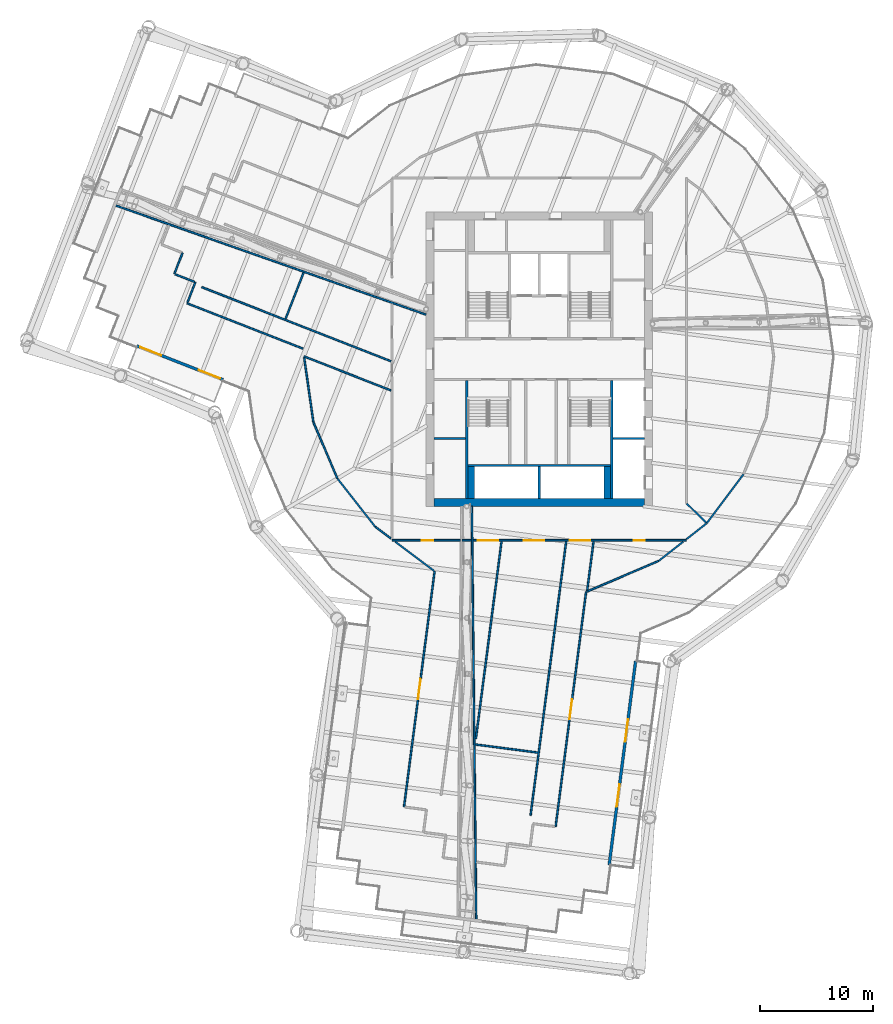
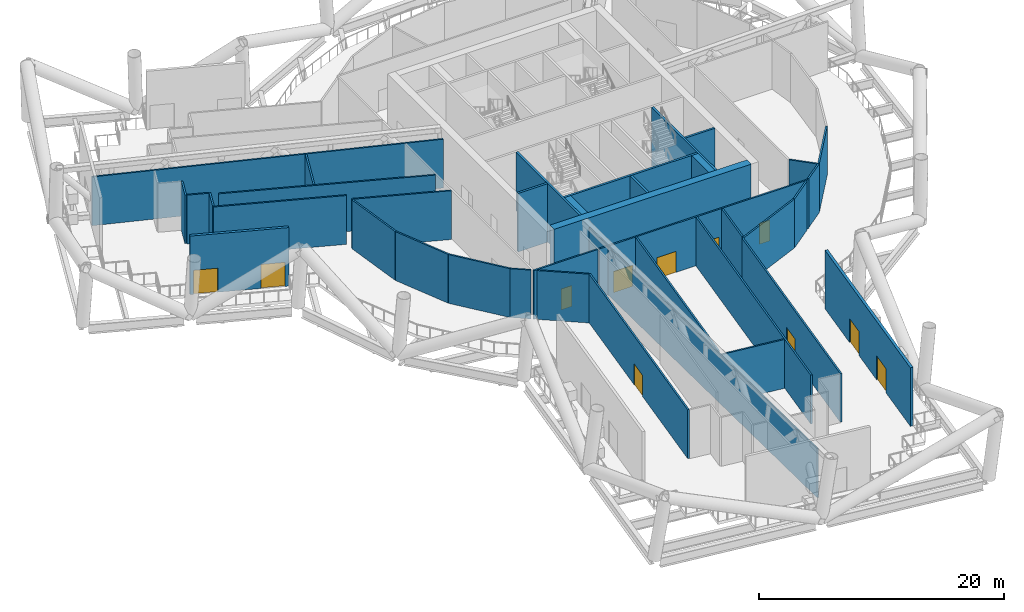
# One storey, part 11 of 36: 39 walls, 11 doors, 11 openings.
"""IFC4 building model written with IfcOpenShell, lengths in metres."""

from ifc_helpers import new_model, si_unit, direction, frame, frame_2d, origin, place, context, subcontext, project, spatial, rectangle, extrude, material, layer, layer_set, type_object, element, fill, save


model = new_model("IFC4")

# Units and contexts
model_context = context("Model", 3, precision=1e-05, world=origin(), true_north=direction((0.0, 1.0)))
body_context = subcontext(model_context, "Body", "Model", "MODEL_VIEW")
ifc_project = project(units=[si_unit("LENGTHUNIT", "METRE"), si_unit("AREAUNIT", "SQUARE_METRE"), si_unit("VOLUMEUNIT", "CUBIC_METRE"), si_unit("PLANEANGLEUNIT", "RADIAN"), si_unit("MASSUNIT", "GRAM", prefix="KILO")], contexts=[model_context])

# Site, building, storey
site_placement = place(None, origin())
site = spatial("IfcSite", under=ifc_project, at=site_placement, CompositionType="ELEMENT")
building_placement = place(site_placement, origin())
building = spatial("IfcBuilding", under=site, at=building_placement, Name="Tarsis Ring Headquarters", CompositionType="ELEMENT")
storey_placement = place(building_placement, frame((0.0, 0.0, 194.39990234375)))
storey = spatial("IfcBuildingStorey", under=building, at=storey_placement, Name="L45", CompositionType="ELEMENT", Elevation=194.39990234375)

# Walls
ifc_material_1 = material(Name="Blockwork", Category="masonry")
ifc_layer_1 = layer(ifc_material_1, 0.199951171875)
ifc_layer_set_1 = layer_set([ifc_layer_1], Name="Core blockwork wall 200")
wall_type_1 = type_object("IfcWallType", Name="Core blockwork wall 200", PredefinedType="PARTITIONING", material=ifc_layer_set_1)
wall_1_placement = place(storey_placement, frame((-9.300048828125, -7.0, 0.0), z_axis=(0.0, 0.0, 1.0), x_axis=(1.0, 0.0, 0.0)))
element("IfcWall", 1, at=wall_1_placement, inside=storey, type_object=wall_type_1, Name="Core partition WD2", PredefinedType="PARTITIONING", context=body_context, shape_type="SweptSolid", body=[
    extrude(rectangle(XDim=2.800048828125, YDim=0.199951171875, at=frame_2d((1.39990234375, 0.0))), origin(), (0.0, 0.0, 1.0), 5.840087890625),
])
ifc_material_2 = material(Name="Concrete C50/60", Category="concrete")
ifc_layer_2 = layer(ifc_material_2, 0.699951171875)
ifc_layer_set_2 = layer_set([ifc_layer_2], Name="Core wall 700 C50/60")
wall_type_2 = type_object("IfcWallType", Name="Core wall 700 C50/60", PredefinedType="SHEAR", material=ifc_layer_set_2)
wall_2_placement = place(storey_placement, frame((-9.300048828125, -12.64990234375, 0.0), z_axis=(0.0, 0.0, 1.0), x_axis=(1.0, 0.0, 0.0)))
element("IfcWall", 2, at=wall_2_placement, inside=storey, type_object=wall_type_2, Name="Core wall OS", PredefinedType="SHEAR", context=body_context, shape_type="SweptSolid", body=[
    extrude(rectangle(XDim=18.60009765625, YDim=0.699951171875, at=frame_2d((9.300048828125, 0.0))), origin(), (0.0, 0.0, 1.0), 5.840087890625),
])
ifc_material_3 = material(Name="Gypsum board on steel studs", Category="steel")
ifc_layer_3 = layer(ifc_material_3, 0.14990234375)
ifc_layer_set_3 = layer_set([ifc_layer_3], Name="FL partition 150 EI 120 H4870")
wall_type_3 = type_object("IfcWallType", Name="FL partition 150 EI 120 H4870", PredefinedType="PARTITIONING", material=ifc_layer_set_3)
wall_3_placement = place(storey_placement, frame((-5.952880859375, -13.0, 0.0), z_axis=(0.0, 0.0, 1.0), x_axis=(0.010572501311, -0.999944109546, 0.0)))
element("IfcWall", 3, at=wall_3_placement, inside=storey, type_object=wall_type_3, Name="Partition PW2H487", PredefinedType="PARTITIONING", context=body_context, shape_type="SweptSolid", body=[
    extrude(rectangle(XDim=36.64697265625, YDim=0.14990234375, at=frame_2d((18.323486328125, 0.0))), origin(), (0.0, 0.0, 1.0), 4.8701171875),
])
wall_4_placement = place(storey_placement, frame((-37.567626953125, 13.626708984375, 0.0), z_axis=(0.0, 0.0, 1.0), x_axis=(0.943350700791, -0.331797310595, 0.0)))
element("IfcWall", 4, at=wall_4_placement, inside=storey, type_object=wall_type_3, Name="Partition PW2H487", PredefinedType="PARTITIONING", context=body_context, shape_type="SweptSolid", body=[
    extrude(rectangle(XDim=29.22216796875, YDim=0.14990234375, at=frame_2d((14.611083984375, 0.0))), origin(), (0.0, 0.0, 1.0), 4.8701171875),
])

# Wall, opening, door
wall_5_placement = place(storey_placement, frame((-12.998046875, -16.0, 0.0), z_axis=(0.0, 0.0, 1.0), x_axis=(1.0, 0.0, 0.0)))
wall_5 = element("IfcWall", 5, at=wall_5_placement, inside=storey, type_object=wall_type_3, Name="Partition PW2H487", PredefinedType="PARTITIONING", context=body_context, shape_type="SweptSolid", body=[
    extrude(rectangle(XDim=6.04443359375, YDim=0.14990234375, at=frame_2d((3.022216796875, 0.0))), origin(), (0.0, 0.0, 1.0), 4.8701171875),
])
opening_1_placement = place(wall_5_placement, frame((2.619873046875, 0.0, 0.0)))
opening_1 = element("IfcOpeningElement", 6, at=opening_1_placement, cuts=wall_5, Name="Opening D45.09", PredefinedType="OPENING", context=body_context, shape_type="SweptSolid", body=[
    extrude(rectangle(XDim=1.0, YDim=2.10009765625, at=frame_2d((0.5, 1.050048828125))), frame((0.0, 0.0849609375, 0.0), z_axis=(0.0, -1.0, 0.0), x_axis=(1.0, 0.0, 0.0)), (0.0, 0.0, 1.0), 0.169921875),
])
ifc_material_4 = material(Name="Fire-rated timber door leaf in steel frame", Category="steel")
door_type_1 = type_object("IfcDoorType", Name="FL door FD120-1000", OperationType="NOTDEFINED", PredefinedType="DOOR", material=ifc_material_4)
door_1_placement = place(opening_1_placement, origin())
door_1 = element("IfcDoor", 7, at=door_1_placement, inside=storey, type_object=door_type_1, Name="Door D45.09", OperationType="SINGLE_SWING_RIGHT", OverallHeight=2.10009765625, OverallWidth=1.0, PredefinedType="DOOR", context=body_context, shape_type="SweptSolid", body=[
    extrude(rectangle(XDim=1.0, YDim=2.10009765625, at=frame_2d((0.5, 1.050048828125))), frame((0.0, 0.02490234375, 0.0), z_axis=(0.0, -1.0, 0.0), x_axis=(1.0, 0.0, 0.0)), (0.0, 0.0, 1.0), 0.050048828125),
])
fill(opening_1, door_1)

# Wall
wall_6_placement = place(storey_placement, frame((-6.80224609375, -16.0, 0.0), z_axis=(0.0, 0.0, 1.0), x_axis=(1.0, 0.0, 0.0)))
element("IfcWall", 8, at=wall_6_placement, inside=storey, type_object=wall_type_3, Name="Partition PW2H487", PredefinedType="PARTITIONING", context=body_context, shape_type="SweptSolid", body=[
    extrude(rectangle(XDim=0.80517578125, YDim=0.14990234375, at=frame_2d((0.402587890625, 0.0))), origin(), (0.0, 0.0, 1.0), 4.8701171875),
])

# Wall, openings, doors
wall_7_placement = place(storey_placement, frame((-5.845458984375, -16.0, 0.0), z_axis=(0.0, 0.0, 1.0), x_axis=(1.0, 0.0, 0.0)))
wall_7 = element("IfcWall", 9, at=wall_7_placement, inside=storey, type_object=wall_type_3, Name="Partition PW2H487", PredefinedType="PARTITIONING", context=body_context, shape_type="SweptSolid", body=[
    extrude(rectangle(XDim=18.843505859375, YDim=0.14990234375, at=frame_2d((9.421875, 0.0))), origin(), (0.0, 0.0, 1.0), 4.8701171875),
])
opening_2_placement = place(wall_7_placement, frame((14.181396484375, 0.0, 0.0)))
opening_2 = element("IfcOpeningElement", 10, at=opening_2_placement, cuts=wall_7, Name="Opening D45.08", PredefinedType="OPENING", context=body_context, shape_type="SweptSolid", body=[
    extrude(rectangle(XDim=1.0, YDim=2.10009765625, at=frame_2d((0.5, 1.050048828125))), frame((0.0, 0.0849609375, 0.0), z_axis=(0.0, -1.0, 0.0), x_axis=(1.0, 0.0, 0.0)), (0.0, 0.0, 1.0), 0.169921875),
])
opening_3_placement = place(wall_7_placement, frame((4.480712890625, 0.0, 0.0)))
opening_3 = element("IfcOpeningElement", 11, at=opening_3_placement, cuts=wall_7, Name="Opening D45.10", PredefinedType="OPENING", context=body_context, shape_type="SweptSolid", body=[
    extrude(rectangle(XDim=1.800048828125, YDim=2.10009765625, at=frame_2d((0.89990234375, 1.050048828125))), frame((0.0, 0.0849609375, 0.0), z_axis=(0.0, -1.0, 0.0), x_axis=(1.0, 0.0, 0.0)), (0.0, 0.0, 1.0), 0.169921875),
])
opening_4_placement = place(wall_7_placement, frame((8.544677734375, 0.0, 0.0)))
opening_4 = element("IfcOpeningElement", 12, at=opening_4_placement, cuts=wall_7, Name="Opening D45.11", PredefinedType="OPENING", context=body_context, shape_type="SweptSolid", body=[
    extrude(rectangle(XDim=1.800048828125, YDim=2.10009765625, at=frame_2d((0.89990234375, 1.050048828125))), frame((0.0, 0.0849609375, 0.0), z_axis=(0.0, -1.0, 0.0), x_axis=(1.0, 0.0, 0.0)), (0.0, 0.0, 1.0), 0.169921875),
])
opening_5_placement = place(wall_7_placement, frame((0.4169921875, 0.0, 0.0)))
opening_5 = element("IfcOpeningElement", 13, at=opening_5_placement, cuts=wall_7, Name="Opening D45.12", PredefinedType="OPENING", context=body_context, shape_type="SweptSolid", body=[
    extrude(rectangle(XDim=1.800048828125, YDim=2.10009765625, at=frame_2d((0.89990234375, 1.050048828125))), frame((0.0, 0.0849609375, 0.0), z_axis=(0.0, -1.0, 0.0), x_axis=(1.0, 0.0, 0.0)), (0.0, 0.0, 1.0), 0.169921875),
])
door_2_placement = place(opening_2_placement, origin())
door_2 = element("IfcDoor", 14, at=door_2_placement, inside=storey, type_object=door_type_1, Name="Door D45.08", OperationType="SINGLE_SWING_LEFT", OverallHeight=2.10009765625, OverallWidth=1.0, PredefinedType="DOOR", context=body_context, shape_type="SweptSolid", body=[
    extrude(rectangle(XDim=1.0, YDim=2.10009765625, at=frame_2d((0.5, 1.050048828125))), frame((0.0, 0.02490234375, 0.0), z_axis=(0.0, -1.0, 0.0), x_axis=(1.0, 0.0, 0.0)), (0.0, 0.0, 1.0), 0.050048828125),
])
fill(opening_2, door_2)
door_type_2 = type_object("IfcDoorType", Name="FL door FD120-1800", OperationType="DOUBLE_DOOR_SINGLE_SWING", PredefinedType="DOOR", material=ifc_material_4)
door_3_placement = place(opening_3_placement, origin())
door_3 = element("IfcDoor", 15, at=door_3_placement, inside=storey, type_object=door_type_2, Name="Door D45.10", OperationType="DOUBLE_DOOR_SINGLE_SWING", OverallHeight=2.10009765625, OverallWidth=1.800048828125, PredefinedType="DOOR", context=body_context, shape_type="SweptSolid", body=[
    extrude(rectangle(XDim=1.800048828125, YDim=2.10009765625, at=frame_2d((0.89990234375, 1.050048828125))), frame((0.0, 0.02490234375, 0.0), z_axis=(0.0, -1.0, 0.0), x_axis=(1.0, 0.0, 0.0)), (0.0, 0.0, 1.0), 0.050048828125),
])
fill(opening_3, door_3)
door_4_placement = place(opening_4_placement, origin())
door_4 = element("IfcDoor", 16, at=door_4_placement, inside=storey, type_object=door_type_2, Name="Door D45.11", OperationType="DOUBLE_DOOR_SINGLE_SWING", OverallHeight=2.10009765625, OverallWidth=1.800048828125, PredefinedType="DOOR", context=body_context, shape_type="SweptSolid", body=[
    extrude(rectangle(XDim=1.800048828125, YDim=2.10009765625, at=frame_2d((0.89990234375, 1.050048828125))), frame((0.0, 0.02490234375, 0.0), z_axis=(0.0, -1.0, 0.0), x_axis=(1.0, 0.0, 0.0)), (0.0, 0.0, 1.0), 0.050048828125),
])
fill(opening_4, door_4)
door_5_placement = place(opening_5_placement, origin())
door_5 = element("IfcDoor", 17, at=door_5_placement, inside=storey, type_object=door_type_2, Name="Door D45.12", OperationType="DOUBLE_DOOR_SINGLE_SWING", OverallHeight=2.10009765625, OverallWidth=1.800048828125, PredefinedType="DOOR", context=body_context, shape_type="SweptSolid", body=[
    extrude(rectangle(XDim=1.800048828125, YDim=2.10009765625, at=frame_2d((0.89990234375, 1.050048828125))), frame((0.0, 0.02490234375, 0.0), z_axis=(0.0, -1.0, 0.0), x_axis=(1.0, 0.0, 0.0)), (0.0, 0.0, 1.0), 0.050048828125),
])
fill(opening_5, door_5)

# Wall
wall_8_placement = place(storey_placement, frame((-0.76708984375, -40.302490234375, 0.0), z_axis=(0.0, 0.0, 1.0), x_axis=(0.128793942299, 0.991671377235, 0.0)))
element("IfcWall", 18, at=wall_8_placement, inside=storey, type_object=wall_type_3, Name="Partition PW2H487", PredefinedType="PARTITIONING", context=body_context, shape_type="SweptSolid", body=[
    extrude(rectangle(XDim=24.426513671875, YDim=0.14990234375, at=frame_2d((12.21337890625, 0.0))), origin(), (0.0, 0.0, 1.0), 4.8701171875),
])

# Wall, opening, door
wall_9_placement = place(storey_placement, frame((-11.942138671875, -39.541259765625, 0.0), z_axis=(0.0, 0.0, 1.0), x_axis=(0.128797496694, 0.991670915599, 0.0)))
wall_9 = element("IfcWall", 19, at=wall_9_placement, inside=storey, type_object=wall_type_3, Name="Partition PW2H487", PredefinedType="PARTITIONING", context=body_context, shape_type="SweptSolid", body=[
    extrude(rectangle(XDim=20.983642578125, YDim=0.14990234375, at=frame_2d((10.49169921875, 0.0))), origin(), (0.0, 0.0, 1.0), 4.8701171875),
])
opening_6_placement = place(wall_9_placement, frame((9.59130859375, 0.0, 0.0)))
opening_6 = element("IfcOpeningElement", 20, at=opening_6_placement, cuts=wall_9, Name="Opening D45.18", PredefinedType="OPENING", context=body_context, shape_type="SweptSolid", body=[
    extrude(rectangle(XDim=1.800048828125, YDim=2.10009765625, at=frame_2d((0.89990234375, 1.050048828125))), frame((0.0, 0.0849609375, 0.0), z_axis=(0.0, -1.0, 0.0), x_axis=(1.0, 0.0, 0.0)), (0.0, 0.0, 1.0), 0.169921875),
])
door_6_placement = place(opening_6_placement, origin())
door_6 = element("IfcDoor", 21, at=door_6_placement, inside=storey, type_object=door_type_2, Name="Door D45.18", OperationType="DOUBLE_DOOR_SINGLE_SWING", OverallHeight=2.10009765625, OverallWidth=1.800048828125, PredefinedType="DOOR", context=body_context, shape_type="SweptSolid", body=[
    extrude(rectangle(XDim=1.800048828125, YDim=2.10009765625, at=frame_2d((0.89990234375, 1.050048828125))), frame((0.0, 0.02490234375, 0.0), z_axis=(0.0, -1.0, 0.0), x_axis=(1.0, 0.0, 0.0)), (0.0, 0.0, 1.0), 0.050048828125),
])
fill(opening_6, door_6)

wall_10_placement = place(storey_placement, frame((1.4453125, -41.27978515625, 0.0), z_axis=(0.0, 0.0, 1.0), x_axis=(0.128800366041, 0.991670542926, 0.0)))
wall_10 = element("IfcWall", 22, at=wall_10_placement, inside=storey, type_object=wall_type_3, Name="Partition PW2H487", PredefinedType="PARTITIONING", context=body_context, shape_type="SweptSolid", body=[
    extrude(rectangle(XDim=20.901611328125, YDim=0.14990234375, at=frame_2d((10.45068359375, 0.0))), origin(), (0.0, 0.0, 1.0), 4.8701171875),
])
opening_7_placement = place(wall_10_placement, frame((9.55029296875, 0.0, 0.0)))
opening_7 = element("IfcOpeningElement", 23, at=opening_7_placement, cuts=wall_10, Name="Opening D45.15", PredefinedType="OPENING", context=body_context, shape_type="SweptSolid", body=[
    extrude(rectangle(XDim=1.800048828125, YDim=2.10009765625, at=frame_2d((0.89990234375, 1.050048828125))), frame((0.0, 0.0849609375, 0.0), z_axis=(0.0, -1.0, 0.0), x_axis=(1.0, 0.0, 0.0)), (0.0, 0.0, 1.0), 0.169921875),
])
door_7_placement = place(opening_7_placement, origin())
door_7 = element("IfcDoor", 24, at=door_7_placement, inside=storey, type_object=door_type_2, Name="Door D45.15", OperationType="DOUBLE_DOOR_SINGLE_SWING", OverallHeight=2.10009765625, OverallWidth=1.800048828125, PredefinedType="DOOR", context=body_context, shape_type="SweptSolid", body=[
    extrude(rectangle(XDim=1.800048828125, YDim=2.10009765625, at=frame_2d((0.89990234375, 1.050048828125))), frame((0.0, 0.02490234375, 0.0), z_axis=(0.0, -1.0, 0.0), x_axis=(1.0, 0.0, 0.0)), (0.0, 0.0, 1.0), 0.050048828125),
])
fill(opening_7, door_7)

# Walls
wall_11_placement = place(storey_placement, frame((-5.593505859375, -33.517578125, 0.0), z_axis=(0.0, 0.0, 1.0), x_axis=(0.128799042677, 0.991670714807, 0.0)))
element("IfcWall", 25, at=wall_11_placement, inside=storey, type_object=wall_type_3, Name="Partition PW2H487", PredefinedType="PARTITIONING", context=body_context, shape_type="SweptSolid", body=[
    extrude(rectangle(XDim=17.584716796875, YDim=0.14990234375, at=frame_2d((8.79248046875, 0.0))), origin(), (0.0, 0.0, 1.0), 4.8701171875),
])
wall_12_placement = place(storey_placement, frame((-29.798828125, 6.361572265625, 0.0), z_axis=(0.0, 0.0, 1.0), x_axis=(0.931056962529, -0.364873858377, 0.0)))
element("IfcWall", 26, at=wall_12_placement, inside=storey, type_object=wall_type_3, Name="Partition PW2H487", PredefinedType="PARTITIONING", context=body_context, shape_type="SweptSolid", body=[
    extrude(rectangle(XDim=17.94287109375, YDim=0.14990234375, at=frame_2d((8.971435546875, 0.0))), origin(), (0.0, 0.0, 1.0), 4.8701171875),
])
wall_13_placement = place(storey_placement, frame((-31.0927734375, 4.935302734375, 0.0), z_axis=(0.0, 0.0, 1.0), x_axis=(0.931058351551, -0.364870313957, 0.0)))
element("IfcWall", 27, at=wall_13_placement, inside=storey, type_object=wall_type_3, Name="Partition PW2H487", PredefinedType="PARTITIONING", context=body_context, shape_type="SweptSolid", body=[
    extrude(rectangle(XDim=10.983642578125, YDim=0.14990234375, at=frame_2d((5.49169921875, 0.0))), origin(), (0.0, 0.0, 1.0), 4.8701171875),
])
wall_14_placement = place(storey_placement, frame((-20.769287109375, 0.2451171875, 0.0), z_axis=(0.0, 0.0, 1.0), x_axis=(0.93105566557, -0.364877167838, 0.0)))
element("IfcWall", 28, at=wall_14_placement, inside=storey, type_object=wall_type_3, Name="Partition PW2H487", PredefinedType="PARTITIONING", context=body_context, shape_type="SweptSolid", body=[
    extrude(rectangle(XDim=8.24462890625, YDim=0.14990234375, at=frame_2d((4.122314453125, 0.0))), origin(), (0.0, 0.0, 1.0), 4.8701171875),
])
wall_15_placement = place(storey_placement, frame((4.193603515625, -20.53076171875, 0.0), z_axis=(0.0, 0.0, 1.0), x_axis=(0.919829926904, 0.392317353137, 0.0)))
element("IfcWall", 29, at=wall_15_placement, inside=storey, type_object=wall_type_3, Name="Partition PW2H487", PredefinedType="PARTITIONING", context=body_context, shape_type="SweptSolid", body=[
    extrude(rectangle(XDim=6.900146484375, YDim=0.14990234375, at=frame_2d((3.4501953125, 0.0))), origin(), (0.0, 0.0, 1.0), 4.8701171875),
])
wall_16_placement = place(storey_placement, frame((-20.754638671875, 0.125244140625, 0.0), z_axis=(0.0, 0.0, 1.0), x_axis=(0.140904249341, -0.990023228272, 0.0)))
element("IfcWall", 30, at=wall_16_placement, inside=storey, type_object=wall_type_3, Name="Partition PW2H487", PredefinedType="PARTITIONING", context=body_context, shape_type="SweptSolid", body=[
    extrude(rectangle(XDim=5.750732421875, YDim=0.14990234375, at=frame_2d((2.87548828125, 0.0))), origin(), (0.0, 0.0, 1.0), 4.8701171875),
])
wall_17_placement = place(storey_placement, frame((-5.6494140625, -34.02587890625, 0.0), z_axis=(0.0, 0.0, 1.0), x_axis=(0.99167309134, -0.128780743562, 0.0)))
element("IfcWall", 31, at=wall_17_placement, inside=storey, type_object=wall_type_3, Name="Partition PW2H487", PredefinedType="PARTITIONING", context=body_context, shape_type="SweptSolid", body=[
    extrude(rectangle(XDim=5.56982421875, YDim=0.14990234375, at=frame_2d((2.784912109375, 0.0))), origin(), (0.0, 0.0, 1.0), 4.8701171875),
])
for number, where, z_axis, x_axis, name in (
    (32, (14.794921875, -14.48779296875, 0.0), (0.0, 0.0, 1.0), (0.600433535719, 0.799674664588, 0.0), "Partition PW2H487"),
    (33, (-17.8232421875, -10.541015625, 0.0), (0.0, 0.0, 1.0), (0.617019288792, -0.786948027038, 0.0), "Partition PW2H487"),
):
    element("IfcWall", number, at=place(storey_placement, frame(where, z_axis=z_axis, x_axis=x_axis)), inside=storey, type_object=wall_type_3, Name=name, PredefinedType="PARTITIONING", context=body_context, shape_type="SweptSolid", body=[
        extrude(rectangle(XDim=5.405029296875, YDim=0.14990234375, at=frame_2d((2.70263671875, 0.0))), origin(), (0.0, 0.0, 1.0), 4.8701171875),
    ])
wall_18_placement = place(storey_placement, frame((-19.940185546875, -5.578125, 0.0), z_axis=(0.0, 0.0, 1.0), x_axis=(0.392315430465, -0.919830746941, 0.0)))
element("IfcWall", 34, at=wall_18_placement, inside=storey, type_object=wall_type_3, Name="Partition PW2H487", PredefinedType="PARTITIONING", context=body_context, shape_type="SweptSolid", body=[
    extrude(rectangle(XDim=5.384765625, YDim=0.14990234375, at=frame_2d((2.6923828125, 0.0))), origin(), (0.0, 0.0, 1.0), 4.8701171875),
])
wall_19_placement = place(storey_placement, frame((-22.4091796875, 3.551513671875, 0.0), z_axis=(0.0, 0.0, 1.0), x_axis=(0.364886697083, 0.931051931039, 0.0)))
element("IfcWall", 35, at=wall_19_placement, inside=storey, type_object=wall_type_3, Name="Partition PW2H487", PredefinedType="PARTITIONING", context=body_context, shape_type="SweptSolid", body=[
    extrude(rectangle(XDim=4.400634765625, YDim=0.14990234375, at=frame_2d((2.2001953125, 0.0))), origin(), (0.0, 0.0, 1.0), 4.8701171875),
])
wall_20_placement = place(storey_placement, frame((4.23828125, -20.396484375, 0.0), z_axis=(0.0, 0.0, 1.0), x_axis=(0.12881651412, 0.991668445444, 0.0)))
element("IfcWall", 36, at=wall_20_placement, inside=storey, type_object=wall_type_3, Name="Partition PW2H487", PredefinedType="PARTITIONING", context=body_context, shape_type="SweptSolid", body=[
    extrude(rectangle(XDim=4.353515625, YDim=0.14990234375, at=frame_2d((2.1767578125, 0.0))), origin(), (0.0, 0.0, 1.0), 4.8701171875),
])
wall_21_placement = place(storey_placement, frame((-12.72021484375, -16.1220703125, 0.0), z_axis=(0.0, 0.0, 1.0), x_axis=(0.7996857972, -0.600418708699, 0.0)))
element("IfcWall", 37, at=wall_21_placement, inside=storey, type_object=wall_type_3, Name="Partition PW2H487", PredefinedType="PARTITIONING", context=body_context, shape_type="SweptSolid", body=[
    extrude(rectangle(XDim=4.29052734375, YDim=0.14990234375, at=frame_2d((2.145263671875, 0.0))), origin(), (0.0, 0.0, 1.0), 4.8701171875),
])
wall_22_placement = place(storey_placement, frame((10.548828125, -17.817138671875, 0.0), z_axis=(0.0, 0.0, 1.0), x_axis=(0.786929712612, 0.617042646345, 0.0)))
element("IfcWall", 38, at=wall_22_placement, inside=storey, type_object=wall_type_3, Name="Partition PW2H487", PredefinedType="PARTITIONING", context=body_context, shape_type="SweptSolid", body=[
    extrude(rectangle(XDim=2.741943359375, YDim=0.14990234375, at=frame_2d((1.37109375, 0.0))), origin(), (0.0, 0.0, 1.0), 4.8701171875),
])
wall_23_placement = place(storey_placement, frame((13.028564453125, -12.758544921875, 0.0), z_axis=(0.0, 0.0, 1.0), x_axis=(0.714475312414, -0.699660651996, 0.0)))
element("IfcWall", 39, at=wall_23_placement, inside=storey, type_object=wall_type_3, Name="Partition PW2H487", PredefinedType="PARTITIONING", context=body_context, shape_type="SweptSolid", body=[
    extrude(rectangle(XDim=2.3896484375, YDim=0.14990234375, at=frame_2d((1.19482421875, 0.0))), origin(), (0.0, 0.0, 1.0), 4.8701171875),
])
wall_24_placement = place(storey_placement, frame((13.00146484375, -15.89404296875, 0.0), z_axis=(0.0, 0.0, 1.0), x_axis=(0.786964094906, 0.61699879524, 0.0)))
element("IfcWall", 40, at=wall_24_placement, inside=storey, type_object=wall_type_3, Name="Partition PW2H487", PredefinedType="PARTITIONING", context=body_context, shape_type="SweptSolid", body=[
    extrude(rectangle(XDim=2.26806640625, YDim=0.14990234375, at=frame_2d((1.134033203125, 0.0))), origin(), (0.0, 0.0, 1.0), 4.8701171875),
])
wall_25_placement = place(storey_placement, frame((-31.063720703125, 5.010009765625, 0.0), z_axis=(0.0, 0.0, 1.0), x_axis=(0.364979467415, 0.931015568273, 0.0)))
element("IfcWall", 41, at=wall_25_placement, inside=storey, type_object=wall_type_3, Name="Partition PW2H487", PredefinedType="PARTITIONING", context=body_context, shape_type="SweptSolid", body=[
    extrude(rectangle(XDim=1.919677734375, YDim=0.14990234375, at=frame_2d((0.9599609375, 0.0))), origin(), (0.0, 0.0, 1.0), 4.8701171875),
])
wall_26_placement = place(storey_placement, frame((-32.224609375, 7.529052734375, 0.0), z_axis=(0.0, 0.0, 1.0), x_axis=(0.364850797247, 0.931065999673, 0.0)))
element("IfcWall", 42, at=wall_26_placement, inside=storey, type_object=wall_type_3, Name="Partition PW2H487", PredefinedType="PARTITIONING", context=body_context, shape_type="SweptSolid", body=[
    extrude(rectangle(XDim=1.998046875, YDim=0.14990234375, at=frame_2d((0.9990234375, 0.0))), origin(), (0.0, 0.0, 1.0), 4.8701171875),
])
wall_27_placement = place(storey_placement, frame((-32.14892578125, 7.497314453125, 0.0), z_axis=(0.0, 0.0, 1.0), x_axis=(0.931046657658, -0.364900152459, 0.0)))
element("IfcWall", 43, at=wall_27_placement, inside=storey, type_object=wall_type_3, Name="Partition PW2H487", PredefinedType="PARTITIONING", context=body_context, shape_type="SweptSolid", body=[
    extrude(rectangle(XDim=1.837890625, YDim=0.14990234375, at=frame_2d((0.9189453125, 0.0))), origin(), (0.0, 0.0, 1.0), 4.8701171875),
])
wall_28_placement = place(storey_placement, frame((-14.479736328125, -14.80078125, 0.0), z_axis=(0.0, 0.0, 1.0), x_axis=(0.79963982518, -0.600479933041, 0.0)))
element("IfcWall", 44, at=wall_28_placement, inside=storey, type_object=wall_type_3, Name="Partition PW2H487", PredefinedType="PARTITIONING", context=body_context, shape_type="SweptSolid", body=[
    extrude(rectangle(XDim=1.708740234375, YDim=0.14990234375, at=frame_2d((0.8544921875, 0.0))), origin(), (0.0, 0.0, 1.0), 4.8701171875),
])

# Wall, openings, doors
ifc_material_5 = material(Name="Terracotta clad insulated panel wall", Category="masonry")
ifc_layer_4 = layer(ifc_material_5, 0.25)
ifc_layer_set_4 = layer_set([ifc_layer_4], Name="Facade wall terracotta panel 250")
wall_type_4 = type_object("IfcWallType", Name="Facade wall terracotta panel 250", PredefinedType="STANDARD", material=ifc_layer_set_4)
wall_29_placement = place(storey_placement, frame((-35.523193359375, 1.1669921875, 0.0), z_axis=(0.0, 0.0, 1.0), x_axis=(0.931056202065, -0.364875798865, 0.0)))
wall_29 = element("IfcWall", 45, at=wall_29_placement, inside=storey, type_object=wall_type_4, Name="External wall L45-01", PredefinedType="STANDARD", context=body_context, shape_type="SweptSolid", body=[
    extrude(rectangle(XDim=8.171875, YDim=0.25, at=frame_2d((4.0859375, 0.0))), origin(), (0.0, 0.0, 1.0), 5.840087890625),
])
opening_8_placement = place(wall_29_placement, frame((0.300048828125, 0.0, 0.0)))
opening_8 = element("IfcOpeningElement", 46, at=opening_8_placement, cuts=wall_29, Name="Opening L45-BD01", PredefinedType="OPENING", context=body_context, shape_type="SweptSolid", body=[
    extrude(rectangle(XDim=2.0, YDim=2.39990234375, at=frame_2d((1.0, 1.199951171875))), frame((0.0, 0.135009765625, 0.0), z_axis=(0.0, -1.0, 0.0), x_axis=(1.0, 0.0, 0.0)), (0.0, 0.0, 1.0), 0.27001953125),
])
opening_9_placement = place(wall_29_placement, frame((5.8720703125, 0.0, 0.0)))
opening_9 = element("IfcOpeningElement", 47, at=opening_9_placement, cuts=wall_29, Name="Opening L45-BD02", PredefinedType="OPENING", context=body_context, shape_type="SweptSolid", body=[
    extrude(rectangle(XDim=2.0, YDim=2.39990234375, at=frame_2d((1.0, 1.199951171875))), frame((0.0, 0.135009765625, 0.0), z_axis=(0.0, -1.0, 0.0), x_axis=(1.0, 0.0, 0.0)), (0.0, 0.0, 1.0), 0.27001953125),
])
ifc_material_6 = material(Name="Aluminium framed double glazing", Category="aluminium")
door_type_3 = type_object("IfcDoorType", Name="Balcony sliding door 2000 x 2400", OperationType="SLIDING_TO_LEFT", PredefinedType="DOOR", material=ifc_material_6)
door_8_placement = place(opening_8_placement, origin())
door_8 = element("IfcDoor", 48, at=door_8_placement, inside=storey, type_object=door_type_3, Name="Door L45-BD01", OperationType="SINGLE_SWING_LEFT", OverallHeight=2.39990234375, OverallWidth=2.0, PredefinedType="DOOR", context=body_context, shape_type="SweptSolid", body=[
    extrude(rectangle(XDim=2.0, YDim=2.39990234375, at=frame_2d((1.0, 1.199951171875))), frame((0.0, 0.02490234375, 0.0), z_axis=(0.0, -1.0, 0.0), x_axis=(1.0, 0.0, 0.0)), (0.0, 0.0, 1.0), 0.050048828125),
])
fill(opening_8, door_8)
door_9_placement = place(opening_9_placement, origin())
door_9 = element("IfcDoor", 49, at=door_9_placement, inside=storey, type_object=door_type_3, Name="Door L45-BD02", OperationType="SINGLE_SWING_LEFT", OverallHeight=2.39990234375, OverallWidth=2.0, PredefinedType="DOOR", context=body_context, shape_type="SweptSolid", body=[
    extrude(rectangle(XDim=2.0, YDim=2.39990234375, at=frame_2d((1.0, 1.199951171875))), frame((0.0, 0.02490234375, 0.0), z_axis=(0.0, -1.0, 0.0), x_axis=(1.0, 0.0, 0.0)), (0.0, 0.0, 1.0), 0.050048828125),
])
fill(opening_9, door_9)

wall_30_placement = place(storey_placement, frame((6.173583984375, -44.667236328125, 0.0), z_axis=(0.0, 0.0, 1.0), x_axis=(0.128786004261, 0.99167240816, 0.0)))
wall_30 = element("IfcWall", 50, at=wall_30_placement, inside=storey, type_object=wall_type_4, Name="External wall L45-04", PredefinedType="STANDARD", context=body_context, shape_type="SweptSolid", body=[
    extrude(rectangle(XDim=18.1513671875, YDim=0.25, at=frame_2d((9.07568359375, 0.0))), origin(), (0.0, 0.0, 1.0), 5.840087890625),
])
opening_10_placement = place(wall_30_placement, frame((5.181640625, 0.0, 0.0)))
opening_10 = element("IfcOpeningElement", 51, at=opening_10_placement, cuts=wall_30, Name="Opening L45-BD06", PredefinedType="OPENING", context=body_context, shape_type="SweptSolid", body=[
    extrude(rectangle(XDim=2.0, YDim=2.39990234375, at=frame_2d((1.0, 1.199951171875))), frame((0.0, 0.135009765625, 0.0), z_axis=(0.0, -1.0, 0.0), x_axis=(1.0, 0.0, 0.0)), (0.0, 0.0, 1.0), 0.27001953125),
])
opening_11_placement = place(wall_30_placement, frame((10.969482421875, 0.0, 0.0)))
opening_11 = element("IfcOpeningElement", 52, at=opening_11_placement, cuts=wall_30, Name="Opening L45-BD07", PredefinedType="OPENING", context=body_context, shape_type="SweptSolid", body=[
    extrude(rectangle(XDim=2.0, YDim=2.39990234375, at=frame_2d((1.0, 1.199951171875))), frame((0.0, 0.135009765625, 0.0), z_axis=(0.0, -1.0, 0.0), x_axis=(1.0, 0.0, 0.0)), (0.0, 0.0, 1.0), 0.27001953125),
])
door_10_placement = place(opening_10_placement, origin())
door_10 = element("IfcDoor", 53, at=door_10_placement, inside=storey, type_object=door_type_3, Name="Door L45-BD06", OperationType="SINGLE_SWING_LEFT", OverallHeight=2.39990234375, OverallWidth=2.0, PredefinedType="DOOR", context=body_context, shape_type="SweptSolid", body=[
    extrude(rectangle(XDim=2.0, YDim=2.39990234375, at=frame_2d((1.0, 1.199951171875))), frame((0.0, 0.02490234375, 0.0), z_axis=(0.0, -1.0, 0.0), x_axis=(1.0, 0.0, 0.0)), (0.0, 0.0, 1.0), 0.050048828125),
])
fill(opening_10, door_10)
door_11_placement = place(opening_11_placement, origin())
door_11 = element("IfcDoor", 54, at=door_11_placement, inside=storey, type_object=door_type_3, Name="Door L45-BD07", OperationType="SINGLE_SWING_LEFT", OverallHeight=2.39990234375, OverallWidth=2.0, PredefinedType="DOOR", context=body_context, shape_type="SweptSolid", body=[
    extrude(rectangle(XDim=2.0, YDim=2.39990234375, at=frame_2d((1.0, 1.199951171875))), frame((0.0, 0.02490234375, 0.0), z_axis=(0.0, -1.0, 0.0), x_axis=(1.0, 0.0, 0.0)), (0.0, 0.0, 1.0), 0.050048828125),
])
fill(opening_11, door_11)

# Walls
ifc_material_7 = material(Name="Concrete C32/40", Category="concrete")
ifc_layer_5 = layer(ifc_material_7, 0.60009765625)
ifc_layer_set_5 = layer_set([ifc_layer_5], Name="Shaft end wall 600 C32/40")
wall_type_5 = type_object("IfcWallType", Name="Shaft end wall 600 C32/40", PredefinedType="SOLIDWALL", material=ifc_layer_set_5)
for number, where, z_axis, x_axis, name in (
    (55, (-6.0, -12.300048828125, 0.0), (0.0, 0.0, 1.0), (0.0, 1.0, 0.0), "Core shaft wall SNE1"),
    (56, (6.0, -12.300048828125, 0.0), (0.0, 0.0, 1.0), (0.0, 1.0, 0.0), "Core shaft wall SNE2"),
):
    element("IfcWall", number, at=place(storey_placement, frame(where, z_axis=z_axis, x_axis=x_axis)), inside=storey, type_object=wall_type_5, Name=name, PredefinedType="SOLIDWALL", context=body_context, shape_type="SweptSolid", body=[
        extrude(rectangle(XDim=2.800048828125, YDim=0.60009765625, at=frame_2d((1.39990234375, 0.0))), origin(), (0.0, 0.0, 1.0), 5.840087890625),
    ])
ifc_layer_6 = layer(ifc_material_7, 0.199951171875)
ifc_layer_set_6 = layer_set([ifc_layer_6], Name="Shaft wall 200 C32/40")
wall_type_6 = type_object("IfcWallType", Name="Shaft wall 200 C32/40", PredefinedType="SOLIDWALL", material=ifc_layer_set_6)
for number, where, z_axis, x_axis, name in (
    (57, (-6.39990234375, -12.300048828125, 0.0), (0.0, 0.0, 1.0), (0.0, 1.0, 0.0), "Core shaft wall WB1"),
    (58, (6.39990234375, -12.300048828125, 0.0), (0.0, 0.0, 1.0), (0.0, 1.0, 0.0), "Core shaft wall EB1"),
):
    element("IfcWall", number, at=place(storey_placement, frame(where, z_axis=z_axis, x_axis=x_axis)), inside=storey, type_object=wall_type_6, Name=name, PredefinedType="SOLIDWALL", context=body_context, shape_type="SweptSolid", body=[
        extrude(rectangle(XDim=10.400146484375, YDim=0.199951171875, at=frame_2d((5.2001953125, 0.0))), origin(), (0.0, 0.0, 1.0), 5.840087890625),
    ])
wall_31_placement = place(storey_placement, frame((-6.300048828125, -9.39990234375, 0.0), z_axis=(0.0, 0.0, 1.0), x_axis=(1.0, 0.0, 0.0)))
element("IfcWall", 59, at=wall_31_placement, inside=storey, type_object=wall_type_6, Name="Core shaft wall SB", PredefinedType="SOLIDWALL", context=body_context, shape_type="SweptSolid", body=[
    extrude(rectangle(XDim=12.60009765625, YDim=0.199951171875, at=frame_2d((6.300048828125, 0.0))), origin(), (0.0, 0.0, 1.0), 5.840087890625),
])
for number, where, z_axis, x_axis, name in (
    (60, (6.5, -7.0, 0.0), (0.0, 0.0, 1.0), (1.0, 0.0, 0.0), "Core shaft wall ED2"),
    (61, (0.0, -12.300048828125, 0.0), (0.0, 0.0, 1.0), (0.0, 1.0, 0.0), "Core shaft wall SD2"),
):
    element("IfcWall", number, at=place(storey_placement, frame(where, z_axis=z_axis, x_axis=x_axis)), inside=storey, type_object=wall_type_6, Name=name, PredefinedType="SOLIDWALL", context=body_context, shape_type="SweptSolid", body=[
        extrude(rectangle(XDim=2.800048828125, YDim=0.199951171875, at=frame_2d((1.39990234375, 0.0))), origin(), (0.0, 0.0, 1.0), 5.840087890625),
    ])

save(model, "model.ifc")
